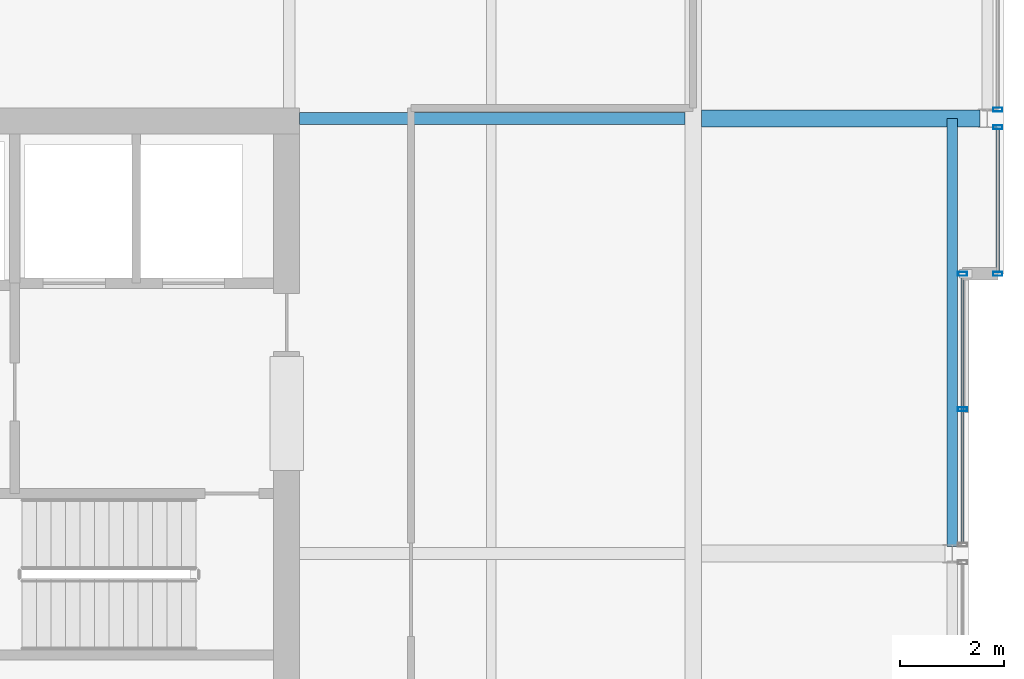
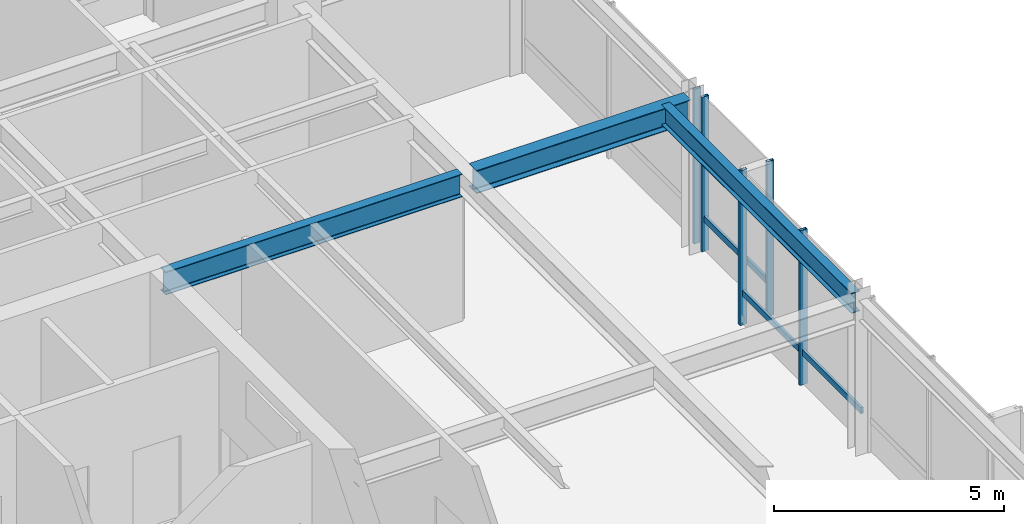
# One storey, part 20 of 34: 7 members, 3 beams, 3 elements without a shape of their own.
"""IFC4 building model written with IfcOpenShell, lengths in metres."""

from ifc_helpers import new_model, si_unit, direction, frame, origin, origin_2d, place, context, subcontext, project, spatial, hollow_rectangle, i_section, extrude, material, layer, layer_set, material_profile, profile_set, type_object, element, aggregate, save


model = new_model("IFC4")

# Units and contexts
model_context = context("Model", 3, precision=1e-05, world=origin(), true_north=direction((0.0, 1.0)))
body_context = subcontext(model_context, "Body", "Model", "MODEL_VIEW")
ifc_project = project(units=[si_unit("LENGTHUNIT", "METRE"), si_unit("AREAUNIT", "SQUARE_METRE"), si_unit("VOLUMEUNIT", "CUBIC_METRE"), si_unit("PLANEANGLEUNIT", "RADIAN"), si_unit("MASSUNIT", "GRAM", prefix="KILO")], contexts=[model_context])

# Site, building, storey
site_placement = place(None, origin())
site = spatial("IfcSite", under=ifc_project, at=site_placement, CompositionType="ELEMENT")
building_placement = place(site_placement, origin())
building = spatial("IfcBuilding", under=site, at=building_placement, Name="Drelvath Grand Hotel", CompositionType="ELEMENT")
storey_placement = place(building_placement, frame((0.0, 0.0, 294.199951171875)))
storey = spatial("IfcBuildingStorey", under=building, at=storey_placement, Name="L77", CompositionType="ELEMENT", Elevation=294.199951171875)

# Curtain wall, member
ifc_material_1 = material(Name="Platinum-Mist Anodised Aluminium Frame", Category="aluminium")
ifc_layer = layer(ifc_material_1, 0.199951171875)
ifc_layer_set = layer_set([ifc_layer], Name="Platinum-Mist Anodised Aluminium Frame")
curtain_wall_type = type_object("IfcCurtainWallType", Name="Stick Curtain Wall CW-05 Platinum Mist High-Rise", PredefinedType="NOTDEFINED", material=ifc_layer_set)
curtain_wall_1_placement = place(storey_placement, origin())
curtain_wall_1 = element("IfcCurtainWall", 1, at=curtain_wall_1_placement, inside=storey, type_object=curtain_wall_type, Name="L77 CW-05 Curtain Wall CW05-L77-EN1", PredefinedType="NOTDEFINED")
ifc_material_profile_1 = material_profile(ifc_material_1, hollow_rectangle(XDim=0.06494140625, YDim=0.159912109375, WallThickness=0.00390625, at=origin_2d()), Name="HSS160X65X4")
ifc_profile_set_1 = profile_set([ifc_material_profile_1], Name="Platinum-Mist Anodised Aluminium Frame")
member_type_1 = type_object("IfcMemberType", Name="Curtain Wall Horizontal Transom CW-05 HSS160X65X4", PredefinedType="USERDEFINED", material=ifc_profile_set_1)
member_1_placement = place(storey_placement, frame((22.080078125, 35.18994140625, 0.85009765625), z_axis=(0.0, -1.0, 0.0), x_axis=(1.0, 0.0, 0.0)))
member_1 = element("IfcMember", 2, at=member_1_placement, type_object=member_type_1, Name="CW05-L77-EN1 Sill Transom", ObjectType="TRANSOM", PredefinedType="USERDEFINED", context=body_context, shape_type="SweptSolid", body=[
    extrude(hollow_rectangle(XDim=0.06494140625, YDim=0.159912109375, WallThickness=0.00390625, at=origin_2d()), origin(), (0.0, 0.0, 1.0), 2.75),
])

curtain_wall_2_placement = place(storey_placement, origin())
curtain_wall_2 = element("IfcCurtainWall", 3, at=curtain_wall_2_placement, inside=storey, type_object=curtain_wall_type, Name="L77 CW-05 Curtain Wall CW05-L77-EM2", PredefinedType="NOTDEFINED")
member_2_placement = place(storey_placement, frame((21.39990234375, 32.360107421875, 0.85009765625), z_axis=(0.0, -1.0, 0.0), x_axis=(1.0, 0.0, 0.0)))
member_2 = element("IfcMember", 4, at=member_2_placement, type_object=member_type_1, Name="CW05-L77-EM2 Sill Transom", ObjectType="TRANSOM", PredefinedType="USERDEFINED", context=body_context, shape_type="SweptSolid", body=[
    extrude(hollow_rectangle(XDim=0.06494140625, YDim=0.159912109375, WallThickness=0.00390625, at=origin_2d()), origin(), (0.0, 0.0, 1.0), 5.150146484375),
])

# Member
ifc_material_profile_2 = material_profile(ifc_material_1, hollow_rectangle(XDim=0.074951171875, YDim=0.179931640625, WallThickness=0.0048828125, at=origin_2d()), Name="HSS180X75X5")
ifc_profile_set_2 = profile_set([ifc_material_profile_2], Name="Platinum-Mist Anodised Aluminium Frame")
member_type_2 = type_object("IfcMemberType", Name="Curtain Wall Vertical Mullion CW-05 HSS180X75X5", PredefinedType="MULLION", material=ifc_profile_set_2)
member_3_placement = place(storey_placement, frame((22.080078125, 35.22998046875, 0.0), z_axis=(0.0, 0.0, 1.0), x_axis=(0.0, 1.0, 0.0)))
member_3 = element("IfcMember", 5, at=member_3_placement, type_object=member_type_2, Name="CW05-L77-EN1 Mullion 1", PredefinedType="MULLION", context=body_context, shape_type="SweptSolid", body=[
    extrude(hollow_rectangle(XDim=0.074951171875, YDim=0.179931640625, WallThickness=0.0048828125, at=origin_2d()), origin(), (0.0, 0.0, 1.0), 4.10009765625),
])

member_4_placement = place(storey_placement, frame((22.080078125, 32.39990234375, 0.0), z_axis=(0.0, 0.0, 1.0), x_axis=(0.0, 1.0, 0.0)))
member_4 = element("IfcMember", 6, at=member_4_placement, type_object=member_type_2, Name="CW05-L77-EN1 Mullion 2", PredefinedType="MULLION", context=body_context, shape_type="SweptSolid", body=[
    extrude(hollow_rectangle(XDim=0.074951171875, YDim=0.179931640625, WallThickness=0.0048828125, at=origin_2d()), origin(), (0.0, 0.0, 1.0), 4.10009765625),
])

aggregate(curtain_wall_1, [member_3, member_4, member_1])

# Curtain wall, member
curtain_wall_3_placement = place(storey_placement, origin())
curtain_wall_3 = element("IfcCurtainWall", 7, at=curtain_wall_3_placement, inside=storey, type_object=curtain_wall_type, Name="L77 CW-05 Curtain Wall CW05-L77-EN2", PredefinedType="NOTDEFINED")
member_5_placement = place(storey_placement, frame((22.080078125, 35.570068359375, 0.0), z_axis=(0.0, 0.0, 1.0), x_axis=(0.0, 1.0, 0.0)))
member_5 = element("IfcMember", 8, at=member_5_placement, type_object=member_type_2, Name="CW05-L77-EN2 Mullion 3", PredefinedType="MULLION", context=body_context, shape_type="SweptSolid", body=[
    extrude(hollow_rectangle(XDim=0.074951171875, YDim=0.179931640625, WallThickness=0.0048828125, at=origin_2d()), origin(), (0.0, 0.0, 1.0), 4.10009765625),
])
aggregate(curtain_wall_3, [member_5])

# Member
member_6_placement = place(storey_placement, frame((21.39990234375, 32.39990234375, 0.0), z_axis=(0.0, 0.0, 1.0), x_axis=(0.0, 1.0, 0.0)))
member_6 = element("IfcMember", 9, at=member_6_placement, type_object=member_type_2, Name="CW05-L77-EM2 Mullion 1", PredefinedType="MULLION", context=body_context, shape_type="SweptSolid", body=[
    extrude(hollow_rectangle(XDim=0.074951171875, YDim=0.179931640625, WallThickness=0.0048828125, at=origin_2d()), origin(), (0.0, 0.0, 1.0), 4.10009765625),
])

member_7_placement = place(storey_placement, frame((21.39990234375, 29.784912109375, 0.0), z_axis=(0.0, 0.0, 1.0), x_axis=(0.0, 1.0, 0.0)))
member_7 = element("IfcMember", 10, at=member_7_placement, type_object=member_type_2, Name="CW05-L77-EM2 Mullion 2", PredefinedType="MULLION", context=body_context, shape_type="SweptSolid", body=[
    extrude(hollow_rectangle(XDim=0.074951171875, YDim=0.179931640625, WallThickness=0.0048828125, at=origin_2d()), origin(), (0.0, 0.0, 1.0), 4.10009765625),
])

aggregate(curtain_wall_2, [member_6, member_7, member_2])

# Beams
ifc_material_2 = material(Name="Steel ASTM A992 Gr 50", Category="steel")
ifc_material_profile_3 = material_profile(ifc_material_2, i_section(OverallWidth=0.210205078125, OverallDepth=0.53662109375, WebThickness=0.010986328125, FlangeThickness=0.017333984375, FilletRadius=0.01806640625, at=origin_2d()), Name="W21X68")
ifc_profile_set_3 = profile_set([ifc_material_profile_3], Name="Steel ASTM A992 Gr 50")
beam_type_1 = type_object("IfcBeamType", Name="Perimeter Spandrel Beam W21X68", PredefinedType="SPANDREL", material=ifc_profile_set_3)
beam_1_placement = place(storey_placement, frame((21.199951171875, 27.139892578125, 3.831787109375), z_axis=(0.0, 1.0, 0.0), x_axis=(-1.0, 0.0, 0.0)))
element("IfcBeam", 11, at=beam_1_placement, inside=storey, type_object=beam_type_1, Name="L77 Spandrel East Mid N", PredefinedType="SPANDREL", context=body_context, shape_type="SweptSolid", body=[
    extrude(i_section(OverallWidth=0.210205078125, OverallDepth=0.53662109375, WebThickness=0.010986328125, FlangeThickness=0.017333984375, FilletRadius=0.01806640625, at=origin_2d()), origin(), (0.0, 0.0, 1.0), 8.260009765625),
])
ifc_material_profile_4 = material_profile(ifc_material_2, i_section(OverallWidth=0.323974609375, OverallDepth=0.611083984375, WebThickness=0.0126953125, FlangeThickness=0.01904296875, FilletRadius=0.02197265625, at=origin_2d()), Name="W24X104")
ifc_profile_set_4 = profile_set([ifc_material_profile_4], Name="Steel ASTM A992 Gr 50")
beam_type_2 = type_object("IfcBeamType", Name="Primary Floor Girder W24X104", PredefinedType="BEAM", material=ifc_profile_set_4)
beam_2_placement = place(storey_placement, frame((16.362060546875, 35.39990234375, 3.79443359375), z_axis=(1.0, 0.0, 0.0), x_axis=(0.0, 1.0, 0.0)))
element("IfcBeam", 12, at=beam_2_placement, inside=storey, type_object=beam_type_2, Name="L77 East Wing Girder F", PredefinedType="BEAM", context=body_context, shape_type="SweptSolid", body=[
    extrude(i_section(OverallWidth=0.323974609375, OverallDepth=0.611083984375, WebThickness=0.0126953125, FlangeThickness=0.01904296875, FilletRadius=0.02197265625, at=origin_2d()), origin(), (0.0, 0.0, 1.0), 5.3779296875),
])
ifc_material_profile_5 = material_profile(ifc_material_2, i_section(OverallWidth=0.228271484375, OverallDepth=0.607666015625, WebThickness=0.01123046875, FlangeThickness=0.017333984375, FilletRadius=0.02001953125, at=origin_2d()), Name="W24X76")
ifc_profile_set_5 = profile_set([ifc_material_profile_5], Name="Steel ASTM A992 Gr 50")
beam_type_3 = type_object("IfcBeamType", Name="Primary Floor Girder W24X76", PredefinedType="BEAM", material=ifc_profile_set_5)
beam_3_placement = place(storey_placement, frame((8.60009765625, 35.39990234375, 3.796142578125), z_axis=(1.0, 0.0, 0.0), x_axis=(0.0, 1.0, 0.0)))
element("IfcBeam", 13, at=beam_3_placement, inside=storey, type_object=beam_type_3, Name="L77 East Core Tie F", PredefinedType="BEAM", context=body_context, shape_type="SweptSolid", body=[
    extrude(i_section(OverallWidth=0.228271484375, OverallDepth=0.607666015625, WebThickness=0.01123046875, FlangeThickness=0.017333984375, FilletRadius=0.02001953125, at=origin_2d()), origin(), (0.0, 0.0, 1.0), 7.43798828125),
])

save(model, "model.ifc")
